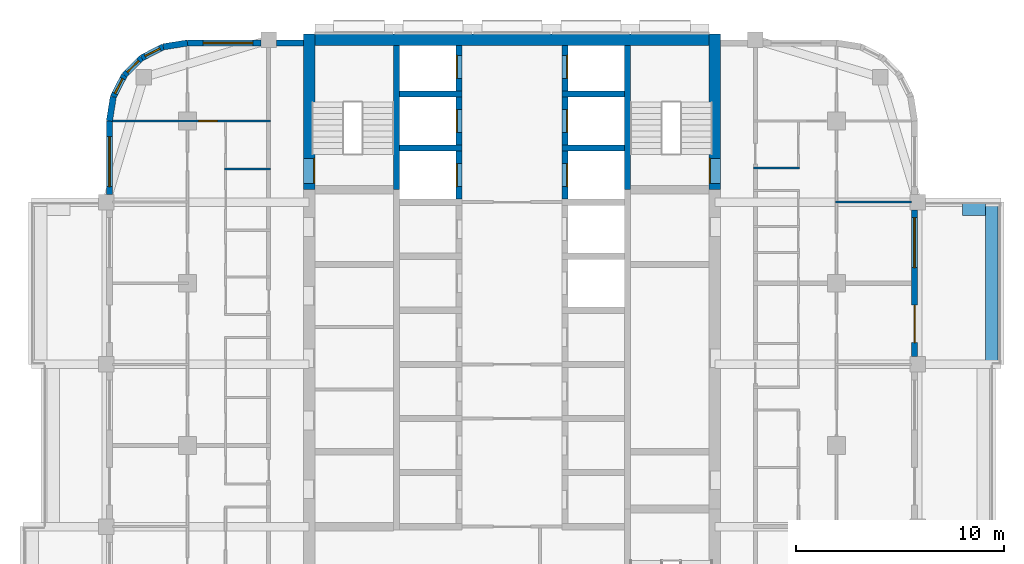
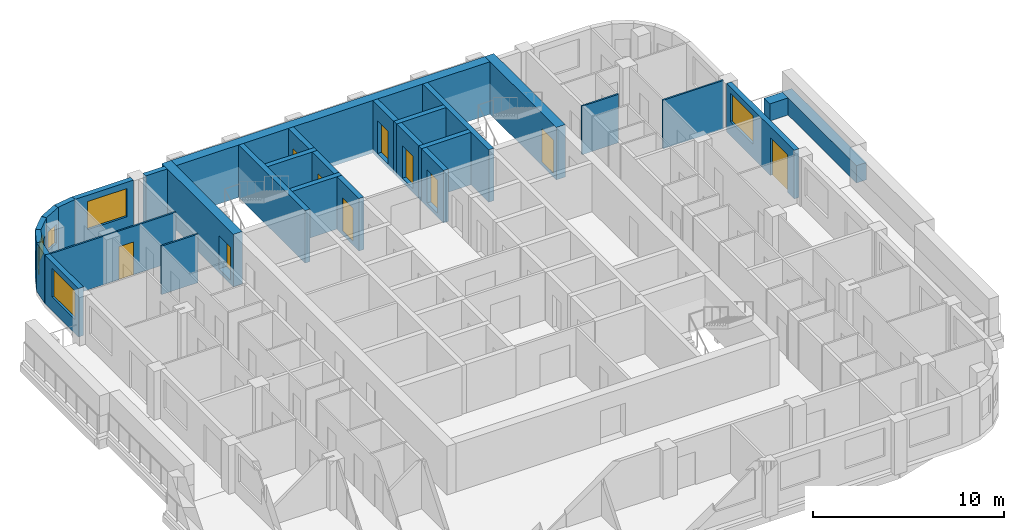
# One storey, part 8 of 13: 30 walls, 10 doors, 6 windows, 16 openings.
"""IFC4 building model written with IfcOpenShell, lengths in metres."""

from ifc_helpers import new_model, si_unit, direction, frame, frame_2d, origin, place, context, subcontext, project, spatial, rectangle, extrude, material, layer, layer_set, type_object, element, fill, save


model = new_model("IFC4")

# Units and contexts
model_context = context("Model", 3, precision=1e-05, world=origin(), true_north=direction((0.0, 1.0)))
body_context = subcontext(model_context, "Body", "Model", "MODEL_VIEW")
ifc_project = project(units=[si_unit("LENGTHUNIT", "METRE"), si_unit("AREAUNIT", "SQUARE_METRE"), si_unit("VOLUMEUNIT", "CUBIC_METRE"), si_unit("PLANEANGLEUNIT", "RADIAN"), si_unit("MASSUNIT", "GRAM", prefix="KILO")], contexts=[model_context])

# Site, building, storey
site_placement = place(None, origin())
site = spatial("IfcSite", under=ifc_project, at=site_placement, CompositionType="ELEMENT")
building_placement = place(site_placement, origin())
building = spatial("IfcBuilding", under=site, at=building_placement, Name="Ludao Terraces", CompositionType="ELEMENT")
storey_placement = place(building_placement, frame((0.0, 0.0, 189.39990234375)))
storey = spatial("IfcBuildingStorey", under=building, at=storey_placement, Name="L51", CompositionType="ELEMENT", Elevation=189.39990234375)

# Wall, opening, door
ifc_material_1 = material(Name="Concrete C60", Category="concrete")
ifc_layer_1 = layer(ifc_material_1, 0.550048828125)
ifc_layer_set_1 = layer_set([ifc_layer_1], Name="Core wall 550 C60")
wall_type_1 = type_object("IfcWallType", Name="Core wall 550 C60", PredefinedType="SOLIDWALL", material=ifc_layer_set_1)
wall_1_placement = place(storey_placement, frame((75.25, 77.300048828125, -0.25), z_axis=(0.0, 0.0, 1.0), x_axis=(0.0, 1.0, 0.0)))
wall_1 = element("IfcWall", 1, at=wall_1_placement, inside=storey, type_object=wall_type_1, Name="Core wall L51 outer-W-S1", PredefinedType="SOLIDWALL", context=body_context, shape_type="SweptSolid", body=[
    extrude(rectangle(XDim=7.474853515625, YDim=0.550048828125, at=frame_2d((3.7373046875, 0.0))), origin(), (0.0, 0.0, 1.0), 3.35009765625),
])
opening_1_placement = place(wall_1_placement, frame((0.300048828125, 0.0, 0.25)))
opening_1 = element("IfcOpeningElement", 2, at=opening_1_placement, cuts=wall_1, Name="Opening R18-077", PredefinedType="OPENING", context=body_context, shape_type="SweptSolid", body=[
    extrude(rectangle(XDim=1.199951171875, YDim=2.10009765625, at=frame_2d((0.60009765625, 1.050048828125))), frame((0.0, 0.28515625, 0.0), z_axis=(0.0, -1.0, 0.0), x_axis=(1.0, 0.0, 0.0)), (0.0, 0.0, 1.0), 0.570068359375),
])
ifc_material_2 = material(Name="Steel Q235", Category="steel")
door_type_1 = type_object("IfcDoorType", Name="INT Stair door 1200", OperationType="DOUBLE_DOOR_SINGLE_SWING", PredefinedType="DOOR", material=ifc_material_2)
door_1_placement = place(opening_1_placement, origin())
door_1 = element("IfcDoor", 3, at=door_1_placement, inside=storey, type_object=door_type_1, Name="DOOR 077", OperationType="DOUBLE_DOOR_SINGLE_SWING", OverallHeight=2.10009765625, OverallWidth=1.199951171875, PredefinedType="DOOR", context=body_context, shape_type="SweptSolid", body=[
    extrude(rectangle(XDim=1.199951171875, YDim=2.10009765625, at=frame_2d((0.60009765625, 1.050048828125))), frame((0.0, -0.2099609375, 0.0), z_axis=(0.0, -1.0, 0.0), x_axis=(1.0, 0.0, 0.0)), (0.0, 0.0, 1.0), 0.050048828125),
])
fill(opening_1, door_1)

wall_2_placement = place(storey_placement, frame((94.75, 77.300048828125, -0.25), z_axis=(0.0, 0.0, 1.0), x_axis=(0.0, 1.0, 0.0)))
wall_2 = element("IfcWall", 4, at=wall_2_placement, inside=storey, type_object=wall_type_1, Name="Core wall L51 outer-E-S2", PredefinedType="SOLIDWALL", context=body_context, shape_type="SweptSolid", body=[
    extrude(rectangle(XDim=7.474853515625, YDim=0.550048828125, at=frame_2d((3.7373046875, 0.0))), origin(), (0.0, 0.0, 1.0), 3.35009765625),
])
opening_2_placement = place(wall_2_placement, frame((0.300048828125, 0.0, 0.25)))
opening_2 = element("IfcOpeningElement", 5, at=opening_2_placement, cuts=wall_2, Name="Opening R18-078", PredefinedType="OPENING", context=body_context, shape_type="SweptSolid", body=[
    extrude(rectangle(XDim=1.199951171875, YDim=2.10009765625, at=frame_2d((0.60009765625, 1.050048828125))), frame((0.0, 0.28515625, 0.0), z_axis=(0.0, -1.0, 0.0), x_axis=(1.0, 0.0, 0.0)), (0.0, 0.0, 1.0), 0.570068359375),
])
door_2_placement = place(opening_2_placement, origin())
door_2 = element("IfcDoor", 6, at=door_2_placement, inside=storey, type_object=door_type_1, Name="DOOR 078", OperationType="DOUBLE_DOOR_SINGLE_SWING", OverallHeight=2.10009765625, OverallWidth=1.199951171875, PredefinedType="DOOR", context=body_context, shape_type="SweptSolid", body=[
    extrude(rectangle(XDim=1.199951171875, YDim=2.10009765625, at=frame_2d((0.60009765625, 1.050048828125))), frame((0.0, 0.26025390625, 0.0), z_axis=(0.0, -1.0, 0.0), x_axis=(1.0, 0.0, 0.0)), (0.0, 0.0, 1.0), 0.050048828125),
])
fill(opening_2, door_2)

# Walls
wall_3_placement = place(storey_placement, frame((75.52490234375, 84.5, -0.25), z_axis=(0.0, 0.0, 1.0), x_axis=(1.0, 0.0, 0.0)))
element("IfcWall", 7, at=wall_3_placement, inside=storey, type_object=wall_type_1, Name="Core wall L51 outer-N", PredefinedType="SOLIDWALL", context=body_context, shape_type="SweptSolid", body=[
    extrude(rectangle(XDim=18.9501953125, YDim=0.550048828125, at=frame_2d((9.47509765625, 0.0))), origin(), (0.0, 0.0, 1.0), 3.35009765625),
])
ifc_material_3 = material(Name="Concrete C40", Category="concrete")
ifc_layer_2 = layer(ifc_material_3, 0.60009765625)
ifc_layer_set_2 = layer_set([ifc_layer_2], Name="ENV Planter trough 600")
wall_type_2 = type_object("IfcWallType", Name="ENV Planter trough 600", PredefinedType="USERDEFINED", material=ifc_layer_set_2)
wall_4_placement = place(storey_placement, frame((108.050048828125, 68.89990234375, 0.0), z_axis=(0.0, 0.0, 1.0), x_axis=(0.0, 1.0, 0.0)))
element("IfcWall", 8, at=wall_4_placement, inside=storey, type_object=wall_type_2, Name="PL-L51-E3", ObjectType="PLANTER", PredefinedType="USERDEFINED", context=body_context, shape_type="SweptSolid", body=[
    extrude(rectangle(XDim=7.800048828125, YDim=0.60009765625, at=frame_2d((3.89990234375, 0.0))), origin(), (0.0, 0.0, 1.0), 1.10009765625),
])
wall_5_placement = place(storey_placement, frame((107.75, 76.35009765625, 0.0), z_axis=(0.0, 0.0, 1.0), x_axis=(-1.0, 0.0, 0.0)))
element("IfcWall", 9, at=wall_5_placement, inside=storey, type_object=wall_type_2, Name="PL-L51-E3-SB", ObjectType="PLANTER", PredefinedType="USERDEFINED", context=body_context, shape_type="SweptSolid", body=[
    extrude(rectangle(XDim=1.10009765625, YDim=0.60009765625, at=frame_2d((0.550048828125, 0.0))), origin(), (0.0, 0.0, 1.0), 1.10009765625),
])

# Wall, openings, door, window
ifc_material_4 = material(Name="Granite cladding", Category="masonry")
ifc_layer_3 = layer(ifc_material_4, 0.0400390625, Category="stone")
ifc_material_5 = material(Name="Mineral wool")
ifc_layer_4 = layer(ifc_material_5, 0.06005859375)
ifc_layer_5 = layer(ifc_material_3, 0.199951171875, Category="concrete")
ifc_layer_set_3 = layer_set([ifc_layer_3, ifc_layer_4, ifc_layer_5], Name="ENV Stone-clad wall 300")
wall_type_3 = type_object("IfcWallType", Name="ENV Stone-clad wall 300", PredefinedType="SOLIDWALL", material=ifc_layer_set_3)
wall_6_placement = place(storey_placement, frame((104.35009765625, 69.27490234375, 0.0), z_axis=(0.0, 0.0, 1.0), x_axis=(0.0, 1.0, 0.0)))
wall_6 = element("IfcWall", 10, at=wall_6_placement, inside=storey, type_object=wall_type_3, Name="EW-L51-E4", PredefinedType="SOLIDWALL", context=body_context, shape_type="SweptSolid", body=[
    extrude(rectangle(XDim=7.050048828125, YDim=0.300048828125, at=frame_2d((3.52490234375, 0.0))), origin(), (0.0, 0.0, 1.0), 3.10009765625),
])
opening_3_placement = place(wall_6_placement, frame((0.675048828125, 0.0, 0.0)))
opening_3 = element("IfcOpeningElement", 11, at=opening_3_placement, cuts=wall_6, Name="Opening BD", PredefinedType="OPENING", context=body_context, shape_type="SweptSolid", body=[
    extrude(rectangle(XDim=1.800048828125, YDim=2.39990234375, at=frame_2d((0.89990234375, 1.199951171875))), frame((0.0, 0.16015625, 0.0), z_axis=(0.0, -1.0, 0.0), x_axis=(1.0, 0.0, 0.0)), (0.0, 0.0, 1.0), 0.320068359375),
])
opening_4_placement = place(wall_6_placement, frame((4.27490234375, 0.0, 0.89990234375)))
opening_4 = element("IfcOpeningElement", 12, at=opening_4_placement, cuts=wall_6, Name="Opening W1", PredefinedType="OPENING", context=body_context, shape_type="SweptSolid", body=[
    extrude(rectangle(XDim=2.39990234375, YDim=1.800048828125, at=frame_2d((1.199951171875, 0.89990234375))), frame((0.0, 0.16015625, 0.0), z_axis=(0.0, -1.0, 0.0), x_axis=(1.0, 0.0, 0.0)), (0.0, 0.0, 1.0), 0.320068359375),
])
ifc_material_6 = material(Name="Aluminium glazed door", Category="aluminium")
ifc_layer_6 = layer(ifc_material_6, 0.06005859375)
ifc_layer_set_4 = layer_set([ifc_layer_6], Name="ENV Balcony door BD 1800x2400")
door_type_2 = type_object("IfcDoorType", Name="ENV Balcony door BD 1800x2400", OperationType="DOUBLE_DOOR_SINGLE_SWING", PredefinedType="DOOR", material=ifc_layer_set_4)
door_3_placement = place(opening_3_placement, origin())
door_3 = element("IfcDoor", 13, at=door_3_placement, inside=storey, type_object=door_type_2, Name="BD-L51-E4-1", OperationType="DOUBLE_DOOR_SINGLE_SWING", OverallHeight=2.39990234375, OverallWidth=1.800048828125, PredefinedType="DOOR", context=body_context, shape_type="SweptSolid", body=[
    extrude(rectangle(XDim=1.800048828125, YDim=2.39990234375, at=frame_2d((0.89990234375, 1.199951171875))), frame((0.0, 0.02490234375, 0.0), z_axis=(0.0, -1.0, 0.0), x_axis=(1.0, 0.0, 0.0)), (0.0, 0.0, 1.0), 0.050048828125),
])
fill(opening_3, door_3)
ifc_material_7 = material(Name="Clear glass in aluminium frame", Category="aluminium")
ifc_layer_7 = layer(ifc_material_7, 0.06005859375)
ifc_layer_set_5 = layer_set([ifc_layer_7], Name="ENV Window W1 2400x1800")
window_type_1 = type_object("IfcWindowType", Name="ENV Window W1 2400x1800", PartitioningType="DOUBLE_PANEL_VERTICAL", PredefinedType="WINDOW", material=ifc_layer_set_5)
window_1_placement = place(opening_4_placement, origin())
window_1 = element("IfcWindow", 14, at=window_1_placement, inside=storey, type_object=window_type_1, Name="W-L51-E4-2", OverallHeight=1.800048828125, OverallWidth=2.39990234375, PartitioningType="DOUBLE_PANEL_VERTICAL", PredefinedType="WINDOW", context=body_context, shape_type="SweptSolid", body=[
    extrude(rectangle(XDim=2.39990234375, YDim=1.800048828125, at=frame_2d((1.199951171875, 0.89990234375))), frame((0.0, 0.030029296875, 0.0), z_axis=(0.0, -1.0, 0.0), x_axis=(1.0, 0.0, 0.0)), (0.0, 0.0, 1.0), 0.06005859375),
])
fill(opening_4, window_1)

# Wall, opening, window
wall_7_placement = place(storey_placement, frame((69.39990234375, 84.35009765625, 0.0), z_axis=(0.0, 0.0, 1.0), x_axis=(1.0, 0.0, 0.0)))
wall_7 = element("IfcWall", 15, at=wall_7_placement, inside=storey, type_object=wall_type_3, Name="EW-L51-N1", PredefinedType="SOLIDWALL", context=body_context, shape_type="SweptSolid", body=[
    extrude(rectangle(XDim=3.525146484375, YDim=0.300048828125, at=frame_2d((1.7626953125, 0.0))), origin(), (0.0, 0.0, 1.0), 3.10009765625),
])
opening_5_placement = place(wall_7_placement, frame((0.75, 0.0, 0.89990234375)))
opening_5 = element("IfcOpeningElement", 16, at=opening_5_placement, cuts=wall_7, Name="Opening W1", PredefinedType="OPENING", context=body_context, shape_type="SweptSolid", body=[
    extrude(rectangle(XDim=2.39990234375, YDim=1.800048828125, at=frame_2d((1.199951171875, 0.89990234375))), frame((0.0, 0.16015625, 0.0), z_axis=(0.0, -1.0, 0.0), x_axis=(1.0, 0.0, 0.0)), (0.0, 0.0, 1.0), 0.320068359375),
])
window_2_placement = place(opening_5_placement, origin())
window_2 = element("IfcWindow", 17, at=window_2_placement, inside=storey, type_object=window_type_1, Name="W-L51-N1-1", OverallHeight=1.800048828125, OverallWidth=2.39990234375, PartitioningType="DOUBLE_PANEL_VERTICAL", PredefinedType="WINDOW", context=body_context, shape_type="SweptSolid", body=[
    extrude(rectangle(XDim=2.39990234375, YDim=1.800048828125, at=frame_2d((1.199951171875, 0.89990234375))), frame((0.0, 0.030029296875, 0.0), z_axis=(0.0, -1.0, 0.0), x_axis=(1.0, 0.0, 0.0)), (0.0, 0.0, 1.0), 0.06005859375),
])
fill(opening_5, window_2)

# Wall
wall_8_placement = place(storey_placement, frame((73.675048828125, 84.35009765625, 0.0), z_axis=(0.0, 0.0, 1.0), x_axis=(1.0, 0.0, 0.0)))
element("IfcWall", 18, at=wall_8_placement, inside=storey, type_object=wall_type_3, Name="EW-L51-N2", PredefinedType="SOLIDWALL", context=body_context, shape_type="SweptSolid", body=[
    extrude(rectangle(XDim=1.300048828125, YDim=0.300048828125, at=frame_2d((0.64990234375, 0.0))), origin(), (0.0, 0.0, 1.0), 3.10009765625),
])

# Wall, opening, window
wall_9_placement = place(storey_placement, frame((65.64990234375, 77.074951171875, 0.0), z_axis=(0.0, 0.0, 1.0), x_axis=(0.0, 1.0, 0.0)))
wall_9 = element("IfcWall", 19, at=wall_9_placement, inside=storey, type_object=wall_type_3, Name="EW-L51-W5", PredefinedType="SOLIDWALL", context=body_context, shape_type="SweptSolid", body=[
    extrude(rectangle(XDim=3.525146484375, YDim=0.300048828125, at=frame_2d((1.7626953125, 0.0))), origin(), (0.0, 0.0, 1.0), 3.10009765625),
])
opening_6_placement = place(wall_9_placement, frame((0.375, 0.0, 0.89990234375)))
opening_6 = element("IfcOpeningElement", 20, at=opening_6_placement, cuts=wall_9, Name="Opening W1", PredefinedType="OPENING", context=body_context, shape_type="SweptSolid", body=[
    extrude(rectangle(XDim=2.39990234375, YDim=1.800048828125, at=frame_2d((1.199951171875, 0.89990234375))), frame((0.0, 0.16015625, 0.0), z_axis=(0.0, -1.0, 0.0), x_axis=(1.0, 0.0, 0.0)), (0.0, 0.0, 1.0), 0.320068359375),
])
window_3_placement = place(opening_6_placement, origin())
window_3 = element("IfcWindow", 21, at=window_3_placement, inside=storey, type_object=window_type_1, Name="W-L51-W5-1", OverallHeight=1.800048828125, OverallWidth=2.39990234375, PartitioningType="DOUBLE_PANEL_VERTICAL", PredefinedType="WINDOW", context=body_context, shape_type="SweptSolid", body=[
    extrude(rectangle(XDim=2.39990234375, YDim=1.800048828125, at=frame_2d((1.199951171875, 0.89990234375))), frame((0.0, 0.030029296875, 0.0), z_axis=(0.0, -1.0, 0.0), x_axis=(1.0, 0.0, 0.0)), (0.0, 0.0, 1.0), 0.06005859375),
])
fill(opening_6, window_3)

# Wall
wall_10_placement = place(storey_placement, frame((69.39990234375, 84.35009765625, 0.0), z_axis=(0.0, 0.0, 1.0), x_axis=(-0.987678452879, -0.156496880861, 0.0)))
element("IfcWall", 22, at=wall_10_placement, inside=storey, type_object=wall_type_3, Name="EW-L51-NW1", PredefinedType="SOLIDWALL", context=body_context, shape_type="SweptSolid", body=[
    extrude(rectangle(XDim=1.173095703125, YDim=0.300048828125, at=frame_2d((0.58642578125, 0.0))), origin(), (0.0, 0.0, 1.0), 3.10009765625),
])

# Wall, opening, window
wall_11_placement = place(storey_placement, frame((68.2412109375, 84.16650390625, 0.0), z_axis=(0.0, 0.0, 1.0), x_axis=(-0.890988677504, -0.454025524128, 0.0)))
wall_11 = element("IfcWall", 23, at=wall_11_placement, inside=storey, type_object=wall_type_3, Name="EW-L51-NW2", PredefinedType="SOLIDWALL", context=body_context, shape_type="SweptSolid", body=[
    extrude(rectangle(XDim=1.17333984375, YDim=0.300048828125, at=frame_2d((0.586669921875, 0.0))), origin(), (0.0, 0.0, 1.0), 3.10009765625),
])
opening_7_placement = place(wall_11_placement, frame((0.1865234375, 0.0, 0.89990234375)))
opening_7 = element("IfcOpeningElement", 24, at=opening_7_placement, cuts=wall_11, Name="Opening W3", PredefinedType="OPENING", context=body_context, shape_type="SweptSolid", body=[
    extrude(rectangle(XDim=0.800048828125, YDim=1.199951171875, at=frame_2d((0.39990234375, 0.60009765625))), frame((0.0, 0.16015625, 0.0), z_axis=(0.0, -1.0, 0.0), x_axis=(1.0, 0.0, 0.0)), (0.0, 0.0, 1.0), 0.320068359375),
])
ifc_layer_8 = layer(ifc_material_7, 0.06005859375)
ifc_layer_set_6 = layer_set([ifc_layer_8], Name="ENV Window W3 800x1200")
window_type_2 = type_object("IfcWindowType", Name="ENV Window W3 800x1200", PartitioningType="SINGLE_PANEL", PredefinedType="WINDOW", material=ifc_layer_set_6)
window_4_placement = place(opening_7_placement, origin())
window_4 = element("IfcWindow", 25, at=window_4_placement, inside=storey, type_object=window_type_2, Name="W-L51-NW2", OverallHeight=1.199951171875, OverallWidth=0.800048828125, PartitioningType="SINGLE_PANEL", PredefinedType="WINDOW", context=body_context, shape_type="SweptSolid", body=[
    extrude(rectangle(XDim=0.800048828125, YDim=1.199951171875, at=frame_2d((0.39990234375, 0.60009765625))), frame((0.0, 0.030029296875, 0.0), z_axis=(0.0, -1.0, 0.0), x_axis=(1.0, 0.0, 0.0)), (0.0, 0.0, 1.0), 0.06005859375),
])
fill(opening_7, window_4)

wall_12_placement = place(storey_placement, frame((67.19580078125, 83.6337890625, 0.0), z_axis=(0.0, 0.0, 1.0), x_axis=(-0.707106781187, -0.707106781187, 0.0)))
wall_12 = element("IfcWall", 26, at=wall_12_placement, inside=storey, type_object=wall_type_3, Name="EW-L51-NW3", PredefinedType="SOLIDWALL", context=body_context, shape_type="SweptSolid", body=[
    extrude(rectangle(XDim=1.173095703125, YDim=0.300048828125, at=frame_2d((0.58642578125, 0.0))), origin(), (0.0, 0.0, 1.0), 3.10009765625),
])
opening_8_placement = place(wall_12_placement, frame((0.1865234375, 0.0, 0.89990234375)))
opening_8 = element("IfcOpeningElement", 27, at=opening_8_placement, cuts=wall_12, Name="Opening W3", PredefinedType="OPENING", context=body_context, shape_type="SweptSolid", body=[
    extrude(rectangle(XDim=0.800048828125, YDim=1.199951171875, at=frame_2d((0.39990234375, 0.60009765625))), frame((0.0, 0.16015625, 0.0), z_axis=(0.0, -1.0, 0.0), x_axis=(1.0, 0.0, 0.0)), (0.0, 0.0, 1.0), 0.320068359375),
])
window_5_placement = place(opening_8_placement, origin())
window_5 = element("IfcWindow", 28, at=window_5_placement, inside=storey, type_object=window_type_2, Name="W-L51-NW3", OverallHeight=1.199951171875, OverallWidth=0.800048828125, PartitioningType="SINGLE_PANEL", PredefinedType="WINDOW", context=body_context, shape_type="SweptSolid", body=[
    extrude(rectangle(XDim=0.800048828125, YDim=1.199951171875, at=frame_2d((0.39990234375, 0.60009765625))), frame((0.0, 0.030029296875, 0.0), z_axis=(0.0, -1.0, 0.0), x_axis=(1.0, 0.0, 0.0)), (0.0, 0.0, 1.0), 0.06005859375),
])
fill(opening_8, window_5)

wall_13_placement = place(storey_placement, frame((66.3662109375, 82.80419921875, 0.0), z_axis=(0.0, 0.0, 1.0), x_axis=(-0.454025524128, -0.890988677504, 0.0)))
wall_13 = element("IfcWall", 29, at=wall_13_placement, inside=storey, type_object=wall_type_3, Name="EW-L51-NW4", PredefinedType="SOLIDWALL", context=body_context, shape_type="SweptSolid", body=[
    extrude(rectangle(XDim=1.17333984375, YDim=0.300048828125, at=frame_2d((0.586669921875, 0.0))), origin(), (0.0, 0.0, 1.0), 3.10009765625),
])
opening_9_placement = place(wall_13_placement, frame((0.1865234375, 0.0, 0.89990234375)))
opening_9 = element("IfcOpeningElement", 30, at=opening_9_placement, cuts=wall_13, Name="Opening W3", PredefinedType="OPENING", context=body_context, shape_type="SweptSolid", body=[
    extrude(rectangle(XDim=0.800048828125, YDim=1.199951171875, at=frame_2d((0.39990234375, 0.60009765625))), frame((0.0, 0.16015625, 0.0), z_axis=(0.0, -1.0, 0.0), x_axis=(1.0, 0.0, 0.0)), (0.0, 0.0, 1.0), 0.320068359375),
])
window_6_placement = place(opening_9_placement, origin())
window_6 = element("IfcWindow", 31, at=window_6_placement, inside=storey, type_object=window_type_2, Name="W-L51-NW4", OverallHeight=1.199951171875, OverallWidth=0.800048828125, PartitioningType="SINGLE_PANEL", PredefinedType="WINDOW", context=body_context, shape_type="SweptSolid", body=[
    extrude(rectangle(XDim=0.800048828125, YDim=1.199951171875, at=frame_2d((0.39990234375, 0.60009765625))), frame((0.0, 0.030029296875, 0.0), z_axis=(0.0, -1.0, 0.0), x_axis=(1.0, 0.0, 0.0)), (0.0, 0.0, 1.0), 0.06005859375),
])
fill(opening_9, window_6)

# Walls
wall_14_placement = place(storey_placement, frame((65.83349609375, 81.7587890625, 0.0), z_axis=(0.0, 0.0, 1.0), x_axis=(-0.156496880861, -0.987678452879, 0.0)))
element("IfcWall", 32, at=wall_14_placement, inside=storey, type_object=wall_type_3, Name="EW-L51-NW5", PredefinedType="SOLIDWALL", context=body_context, shape_type="SweptSolid", body=[
    extrude(rectangle(XDim=1.173095703125, YDim=0.300048828125, at=frame_2d((0.58642578125, 0.0))), origin(), (0.0, 0.0, 1.0), 3.10009765625),
])
ifc_material_8 = material(Name="Gypsum plasterboard", Category="gypsum")
ifc_layer_9 = layer(ifc_material_8, 0.012451171875, Category="gypsum")
ifc_layer_10 = layer(ifc_material_5, 0.06005859375, Name="insulation")
ifc_layer_11 = layer(ifc_material_2, 0.014892578125, Name="stud")
ifc_layer_12 = layer(ifc_material_8, 0.012451171875, Category="gypsum")
ifc_layer_set_7 = layer_set([ifc_layer_9, ifc_layer_10, ifc_layer_11, ifc_layer_12], Name="INT Partition 100")
wall_type_4 = type_object("IfcWallType", Name="INT Partition 100", PredefinedType="PARTITIONING", material=ifc_layer_set_7)
wall_15_placement = place(storey_placement, frame((100.550048828125, 76.699951171875, 0.0), z_axis=(0.0, 0.0, 1.0), x_axis=(1.0, 0.0, 0.0)))
element("IfcWall", 33, at=wall_15_placement, inside=storey, type_object=wall_type_4, Name="PW-L51-PW043", PredefinedType="PARTITIONING", context=body_context, shape_type="SweptSolid", body=[
    extrude(rectangle(XDim=3.650146484375, YDim=0.10009765625, at=frame_2d((1.8251953125, 0.0))), origin(), (0.0, 0.0, 1.0), 3.10009765625),
])
for number, where, z_axis, x_axis, name in (
    (34, (71.18017578125, 78.300048828125, 0.0), (0.0, 0.0, 1.0), (1.0, 0.0, 0.0), "PW-L51-PW045"),
    (35, (96.60009765625, 78.35009765625, 0.0), (0.0, 0.0, 1.0), (1.0, 0.0, 0.0), "PW-L51-PW046"),
):
    element("IfcWall", number, at=place(storey_placement, frame(where, z_axis=z_axis, x_axis=x_axis)), inside=storey, type_object=wall_type_4, Name=name, PredefinedType="PARTITIONING", context=body_context, shape_type="SweptSolid", body=[
        extrude(rectangle(XDim=2.219970703125, YDim=0.10009765625, at=frame_2d((1.10986328125, 0.0))), origin(), (0.0, 0.0, 1.0), 3.10009765625),
    ])

# Wall, opening, door
wall_16_placement = place(storey_placement, frame((65.800048828125, 80.60009765625, 0.0), z_axis=(0.0, 0.0, 1.0), x_axis=(1.0, 0.0, 0.0)))
wall_16 = element("IfcWall", 36, at=wall_16_placement, inside=storey, type_object=wall_type_4, Name="PW-L51-PW047", PredefinedType="PARTITIONING", context=body_context, shape_type="SweptSolid", body=[
    extrude(rectangle(XDim=7.60009765625, YDim=0.10009765625, at=frame_2d((3.800048828125, 0.0))), origin(), (0.0, 0.0, 1.0), 3.10009765625),
])
opening_10_placement = place(wall_16_placement, frame((4.139892578125, 0.0, 0.0)))
opening_10 = element("IfcOpeningElement", 37, at=opening_10_placement, cuts=wall_16, Name="Opening R18-084", PredefinedType="OPENING", context=body_context, shape_type="SweptSolid", body=[
    extrude(rectangle(XDim=0.89990234375, YDim=2.10009765625, at=frame_2d((0.449951171875, 1.050048828125))), frame((0.0, 0.06005859375, 0.0), z_axis=(0.0, -1.0, 0.0), x_axis=(1.0, 0.0, 0.0)), (0.0, 0.0, 1.0), 0.1201171875),
])
ifc_material_9 = material(Name="Timber door leaf", Category="wood")
door_type_3 = type_object("IfcDoorType", Name="INT Room door 900", OperationType="SINGLE_SWING_LEFT", PredefinedType="DOOR", material=ifc_material_9)
door_4_placement = place(opening_10_placement, origin())
door_4 = element("IfcDoor", 38, at=door_4_placement, inside=storey, type_object=door_type_3, Name="DOOR 084", OperationType="SINGLE_SWING_LEFT", OverallHeight=2.10009765625, OverallWidth=0.89990234375, PredefinedType="DOOR", context=body_context, shape_type="SweptSolid", body=[
    extrude(rectangle(XDim=0.89990234375, YDim=2.10009765625, at=frame_2d((0.449951171875, 1.050048828125))), frame((0.0, 0.02490234375, 0.0), z_axis=(0.0, -1.0, 0.0), x_axis=(1.0, 0.0, 0.0)), (0.0, 0.0, 1.0), 0.050048828125),
])
fill(opening_10, door_4)

# Walls
ifc_material_10 = material(Name="Concrete C55", Category="concrete")
ifc_layer_13 = layer(ifc_material_10, 0.300048828125)
ifc_layer_set_8 = layer_set([ifc_layer_13], Name="Shaft wall 300 C55")
wall_type_5 = type_object("IfcWallType", Name="Shaft wall 300 C55", PredefinedType="SOLIDWALL", material=ifc_layer_set_8)
for number, where, z_axis, x_axis, name in (
    (39, (79.449951171875, 77.300048828125, -0.25), (0.0, 0.0, 1.0), (0.0, 1.0, 0.0), "Core wall L51 back-W-S1"),
    (40, (90.550048828125, 77.300048828125, -0.25), (0.0, 0.0, 1.0), (0.0, 1.0, 0.0), "Core wall L51 back-E-S2"),
):
    element("IfcWall", number, at=place(storey_placement, frame(where, z_axis=z_axis, x_axis=x_axis)), inside=storey, type_object=wall_type_5, Name=name, PredefinedType="SOLIDWALL", context=body_context, shape_type="SweptSolid", body=[
        extrude(rectangle(XDim=6.925048828125, YDim=0.300048828125, at=frame_2d((3.46240234375, 0.0))), origin(), (0.0, 0.0, 1.0), 3.35009765625),
    ])

# Wall, opening, door
wall_17_placement = place(storey_placement, frame((82.449951171875, 76.85009765625, -0.25), z_axis=(0.0, 0.0, 1.0), x_axis=(0.0, 1.0, 0.0)))
wall_17 = element("IfcWall", 41, at=wall_17_placement, inside=storey, type_object=wall_type_5, Name="Core wall L51 front-W7", PredefinedType="SOLIDWALL", context=body_context, shape_type="SweptSolid", body=[
    extrude(rectangle(XDim=2.2998046875, YDim=0.300048828125, at=frame_2d((1.14990234375, 0.0))), origin(), (0.0, 0.0, 1.0), 3.35009765625),
])
opening_11_placement = place(wall_17_placement, frame((0.60009765625, 0.0, 0.25)))
opening_11 = element("IfcOpeningElement", 42, at=opening_11_placement, cuts=wall_17, Name="Opening LD-FF1", PredefinedType="OPENING", context=body_context, shape_type="SweptSolid", body=[
    extrude(rectangle(XDim=1.10009765625, YDim=2.10009765625, at=frame_2d((0.550048828125, 1.050048828125))), frame((0.0, 0.16015625, 0.0), z_axis=(0.0, -1.0, 0.0), x_axis=(1.0, 0.0, 0.0)), (0.0, 0.0, 1.0), 0.320068359375),
])
ifc_material_11 = material(Name="Stainless steel 304", Category="steel")
door_type_4 = type_object("IfcDoorType", Name="INT Lift landing door 1100", OperationType="SLIDING_TO_LEFT", PredefinedType="DOOR", material=ifc_material_11)
door_5_placement = place(opening_11_placement, origin())
door_5 = element("IfcDoor", 43, at=door_5_placement, inside=storey, type_object=door_type_4, Name="LANDING DOOR FF1 L51", OperationType="SLIDING_TO_LEFT", OverallHeight=2.10009765625, OverallWidth=1.10009765625, PredefinedType="DOOR", context=body_context, shape_type="SweptSolid", body=[
    extrude(rectangle(XDim=1.10009765625, YDim=2.10009765625, at=frame_2d((0.550048828125, 1.050048828125))), frame((0.0, 0.13525390625, 0.0), z_axis=(0.0, -1.0, 0.0), x_axis=(1.0, 0.0, 0.0)), (0.0, 0.0, 1.0), 0.050048828125),
])
fill(opening_11, door_5)

# Wall
wall_18_placement = place(storey_placement, frame((79.60009765625, 79.300048828125, -0.25), z_axis=(0.0, 0.0, 1.0), x_axis=(1.0, 0.0, 0.0)))
element("IfcWall", 44, at=wall_18_placement, inside=storey, type_object=wall_type_5, Name="Core wall L51 div-W8", PredefinedType="SOLIDWALL", context=body_context, shape_type="SweptSolid", body=[
    extrude(rectangle(XDim=3.0, YDim=0.300048828125, at=frame_2d((1.5, 0.0))), origin(), (0.0, 0.0, 1.0), 3.35009765625),
])

# Wall, opening, door
wall_19_placement = place(storey_placement, frame((82.449951171875, 79.449951171875, -0.25), z_axis=(0.0, 0.0, 1.0), x_axis=(0.0, 1.0, 0.0)))
wall_19 = element("IfcWall", 45, at=wall_19_placement, inside=storey, type_object=wall_type_5, Name="Core wall L51 front-W8", PredefinedType="SOLIDWALL", context=body_context, shape_type="SweptSolid", body=[
    extrude(rectangle(XDim=2.300048828125, YDim=0.300048828125, at=frame_2d((1.14990234375, 0.0))), origin(), (0.0, 0.0, 1.0), 3.35009765625),
])
opening_12_placement = place(wall_19_placement, frame((0.60009765625, 0.0, 0.25)))
opening_12 = element("IfcOpeningElement", 46, at=opening_12_placement, cuts=wall_19, Name="Opening LD-FF2", PredefinedType="OPENING", context=body_context, shape_type="SweptSolid", body=[
    extrude(rectangle(XDim=1.10009765625, YDim=2.10009765625, at=frame_2d((0.550048828125, 1.050048828125))), frame((0.0, 0.16015625, 0.0), z_axis=(0.0, -1.0, 0.0), x_axis=(1.0, 0.0, 0.0)), (0.0, 0.0, 1.0), 0.320068359375),
])
door_6_placement = place(opening_12_placement, origin())
door_6 = element("IfcDoor", 47, at=door_6_placement, inside=storey, type_object=door_type_4, Name="LANDING DOOR FF2 L51", OperationType="SLIDING_TO_LEFT", OverallHeight=2.10009765625, OverallWidth=1.10009765625, PredefinedType="DOOR", context=body_context, shape_type="SweptSolid", body=[
    extrude(rectangle(XDim=1.10009765625, YDim=2.10009765625, at=frame_2d((0.550048828125, 1.050048828125))), frame((0.0, 0.13525390625, 0.0), z_axis=(0.0, -1.0, 0.0), x_axis=(1.0, 0.0, 0.0)), (0.0, 0.0, 1.0), 0.050048828125),
])
fill(opening_12, door_6)

# Wall
wall_20_placement = place(storey_placement, frame((79.60009765625, 81.89990234375, -0.25), z_axis=(0.0, 0.0, 1.0), x_axis=(1.0, 0.0, 0.0)))
element("IfcWall", 48, at=wall_20_placement, inside=storey, type_object=wall_type_5, Name="Core wall L51 div-W9", PredefinedType="SOLIDWALL", context=body_context, shape_type="SweptSolid", body=[
    extrude(rectangle(XDim=3.0, YDim=0.300048828125, at=frame_2d((1.5, 0.0))), origin(), (0.0, 0.0, 1.0), 3.35009765625),
])

# Wall, opening, door
wall_21_placement = place(storey_placement, frame((82.449951171875, 82.050048828125, -0.25), z_axis=(0.0, 0.0, 1.0), x_axis=(0.0, 1.0, 0.0)))
wall_21 = element("IfcWall", 49, at=wall_21_placement, inside=storey, type_object=wall_type_5, Name="Core wall L51 front-W9", PredefinedType="SOLIDWALL", context=body_context, shape_type="SweptSolid", body=[
    extrude(rectangle(XDim=2.175048828125, YDim=0.300048828125, at=frame_2d((1.08740234375, 0.0))), origin(), (0.0, 0.0, 1.0), 3.35009765625),
])
opening_13_placement = place(wall_21_placement, frame((0.60009765625, 0.0, 0.25)))
opening_13 = element("IfcOpeningElement", 50, at=opening_13_placement, cuts=wall_21, Name="Opening LD-LB6", PredefinedType="OPENING", context=body_context, shape_type="SweptSolid", body=[
    extrude(rectangle(XDim=1.10009765625, YDim=2.10009765625, at=frame_2d((0.550048828125, 1.050048828125))), frame((0.0, 0.16015625, 0.0), z_axis=(0.0, -1.0, 0.0), x_axis=(1.0, 0.0, 0.0)), (0.0, 0.0, 1.0), 0.320068359375),
])
door_7_placement = place(opening_13_placement, origin())
door_7 = element("IfcDoor", 51, at=door_7_placement, inside=storey, type_object=door_type_4, Name="LANDING DOOR LB6 L51", OperationType="SLIDING_TO_RIGHT", OverallHeight=2.10009765625, OverallWidth=1.10009765625, PredefinedType="DOOR", context=body_context, shape_type="SweptSolid", body=[
    extrude(rectangle(XDim=1.10009765625, YDim=2.10009765625, at=frame_2d((0.550048828125, 1.050048828125))), frame((0.0, 0.13525390625, 0.0), z_axis=(0.0, -1.0, 0.0), x_axis=(1.0, 0.0, 0.0)), (0.0, 0.0, 1.0), 0.050048828125),
])
fill(opening_13, door_7)

wall_22_placement = place(storey_placement, frame((87.550048828125, 76.85009765625, -0.25), z_axis=(0.0, 0.0, 1.0), x_axis=(0.0, 1.0, 0.0)))
wall_22 = element("IfcWall", 52, at=wall_22_placement, inside=storey, type_object=wall_type_5, Name="Core wall L51 front-E7", PredefinedType="SOLIDWALL", context=body_context, shape_type="SweptSolid", body=[
    extrude(rectangle(XDim=2.2998046875, YDim=0.300048828125, at=frame_2d((1.14990234375, 0.0))), origin(), (0.0, 0.0, 1.0), 3.35009765625),
])
opening_14_placement = place(wall_22_placement, frame((0.60009765625, 0.0, 0.25)))
opening_14 = element("IfcOpeningElement", 53, at=opening_14_placement, cuts=wall_22, Name="Opening LD-LB3", PredefinedType="OPENING", context=body_context, shape_type="SweptSolid", body=[
    extrude(rectangle(XDim=1.10009765625, YDim=2.10009765625, at=frame_2d((0.550048828125, 1.050048828125))), frame((0.0, 0.16015625, 0.0), z_axis=(0.0, -1.0, 0.0), x_axis=(1.0, 0.0, 0.0)), (0.0, 0.0, 1.0), 0.320068359375),
])
door_8_placement = place(opening_14_placement, origin())
door_8 = element("IfcDoor", 54, at=door_8_placement, inside=storey, type_object=door_type_4, Name="LANDING DOOR LB3 L51", OperationType="SLIDING_TO_LEFT", OverallHeight=2.10009765625, OverallWidth=1.10009765625, PredefinedType="DOOR", context=body_context, shape_type="SweptSolid", body=[
    extrude(rectangle(XDim=1.10009765625, YDim=2.10009765625, at=frame_2d((0.550048828125, 1.050048828125))), frame((0.0, -0.0849609375, 0.0), z_axis=(0.0, -1.0, 0.0), x_axis=(1.0, 0.0, 0.0)), (0.0, 0.0, 1.0), 0.050048828125),
])
fill(opening_14, door_8)

# Wall
wall_23_placement = place(storey_placement, frame((87.39990234375, 79.300048828125, -0.25), z_axis=(0.0, 0.0, 1.0), x_axis=(1.0, 0.0, 0.0)))
element("IfcWall", 55, at=wall_23_placement, inside=storey, type_object=wall_type_5, Name="Core wall L51 div-E8", PredefinedType="SOLIDWALL", context=body_context, shape_type="SweptSolid", body=[
    extrude(rectangle(XDim=3.0, YDim=0.300048828125, at=frame_2d((1.5, 0.0))), origin(), (0.0, 0.0, 1.0), 3.35009765625),
])

# Wall, opening, door
wall_24_placement = place(storey_placement, frame((87.550048828125, 79.449951171875, -0.25), z_axis=(0.0, 0.0, 1.0), x_axis=(0.0, 1.0, 0.0)))
wall_24 = element("IfcWall", 56, at=wall_24_placement, inside=storey, type_object=wall_type_5, Name="Core wall L51 front-E8", PredefinedType="SOLIDWALL", context=body_context, shape_type="SweptSolid", body=[
    extrude(rectangle(XDim=2.300048828125, YDim=0.300048828125, at=frame_2d((1.14990234375, 0.0))), origin(), (0.0, 0.0, 1.0), 3.35009765625),
])
opening_15_placement = place(wall_24_placement, frame((0.60009765625, 0.0, 0.25)))
opening_15 = element("IfcOpeningElement", 57, at=opening_15_placement, cuts=wall_24, Name="Opening LD-LB4", PredefinedType="OPENING", context=body_context, shape_type="SweptSolid", body=[
    extrude(rectangle(XDim=1.10009765625, YDim=2.10009765625, at=frame_2d((0.550048828125, 1.050048828125))), frame((0.0, 0.16015625, 0.0), z_axis=(0.0, -1.0, 0.0), x_axis=(1.0, 0.0, 0.0)), (0.0, 0.0, 1.0), 0.320068359375),
])
door_9_placement = place(opening_15_placement, origin())
door_9 = element("IfcDoor", 58, at=door_9_placement, inside=storey, type_object=door_type_4, Name="LANDING DOOR LB4 L51", OperationType="SLIDING_TO_RIGHT", OverallHeight=2.10009765625, OverallWidth=1.10009765625, PredefinedType="DOOR", context=body_context, shape_type="SweptSolid", body=[
    extrude(rectangle(XDim=1.10009765625, YDim=2.10009765625, at=frame_2d((0.550048828125, 1.050048828125))), frame((0.0, -0.0849609375, 0.0), z_axis=(0.0, -1.0, 0.0), x_axis=(1.0, 0.0, 0.0)), (0.0, 0.0, 1.0), 0.050048828125),
])
fill(opening_15, door_9)

# Wall
wall_25_placement = place(storey_placement, frame((87.39990234375, 81.89990234375, -0.25), z_axis=(0.0, 0.0, 1.0), x_axis=(1.0, 0.0, 0.0)))
element("IfcWall", 59, at=wall_25_placement, inside=storey, type_object=wall_type_5, Name="Core wall L51 div-E9", PredefinedType="SOLIDWALL", context=body_context, shape_type="SweptSolid", body=[
    extrude(rectangle(XDim=3.0, YDim=0.300048828125, at=frame_2d((1.5, 0.0))), origin(), (0.0, 0.0, 1.0), 3.35009765625),
])

# Wall, opening, door
wall_26_placement = place(storey_placement, frame((87.550048828125, 82.050048828125, -0.25), z_axis=(0.0, 0.0, 1.0), x_axis=(0.0, 1.0, 0.0)))
wall_26 = element("IfcWall", 60, at=wall_26_placement, inside=storey, type_object=wall_type_5, Name="Core wall L51 front-E9", PredefinedType="SOLIDWALL", context=body_context, shape_type="SweptSolid", body=[
    extrude(rectangle(XDim=2.175048828125, YDim=0.300048828125, at=frame_2d((1.08740234375, 0.0))), origin(), (0.0, 0.0, 1.0), 3.35009765625),
])
opening_16_placement = place(wall_26_placement, frame((0.60009765625, 0.0, 0.25)))
opening_16 = element("IfcOpeningElement", 61, at=opening_16_placement, cuts=wall_26, Name="Opening LD-LB5", PredefinedType="OPENING", context=body_context, shape_type="SweptSolid", body=[
    extrude(rectangle(XDim=1.10009765625, YDim=2.10009765625, at=frame_2d((0.550048828125, 1.050048828125))), frame((0.0, 0.16015625, 0.0), z_axis=(0.0, -1.0, 0.0), x_axis=(1.0, 0.0, 0.0)), (0.0, 0.0, 1.0), 0.320068359375),
])
door_10_placement = place(opening_16_placement, origin())
door_10 = element("IfcDoor", 62, at=door_10_placement, inside=storey, type_object=door_type_4, Name="LANDING DOOR LB5 L51", OperationType="SLIDING_TO_RIGHT", OverallHeight=2.10009765625, OverallWidth=1.10009765625, PredefinedType="DOOR", context=body_context, shape_type="SweptSolid", body=[
    extrude(rectangle(XDim=1.10009765625, YDim=2.10009765625, at=frame_2d((0.550048828125, 1.050048828125))), frame((0.0, -0.0849609375, 0.0), z_axis=(0.0, -1.0, 0.0), x_axis=(1.0, 0.0, 0.0)), (0.0, 0.0, 1.0), 0.050048828125),
])
fill(opening_16, door_10)

save(model, "model.ifc")
